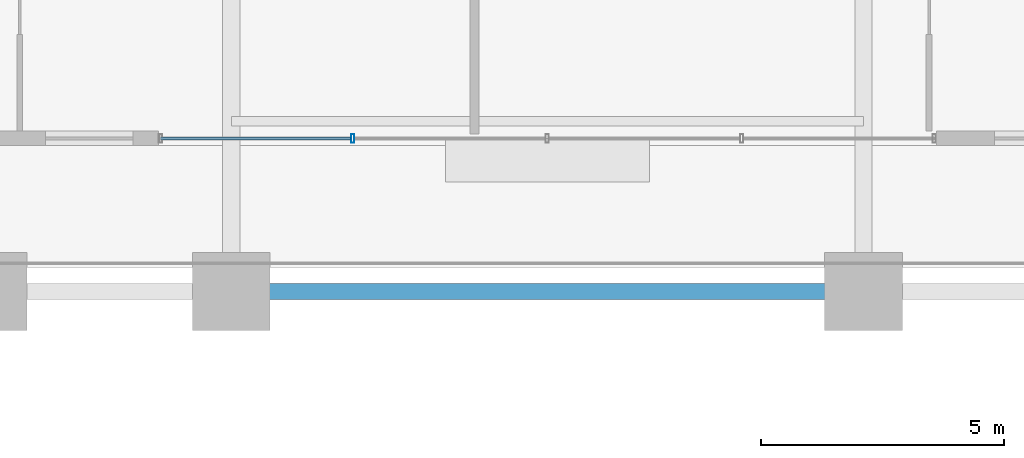
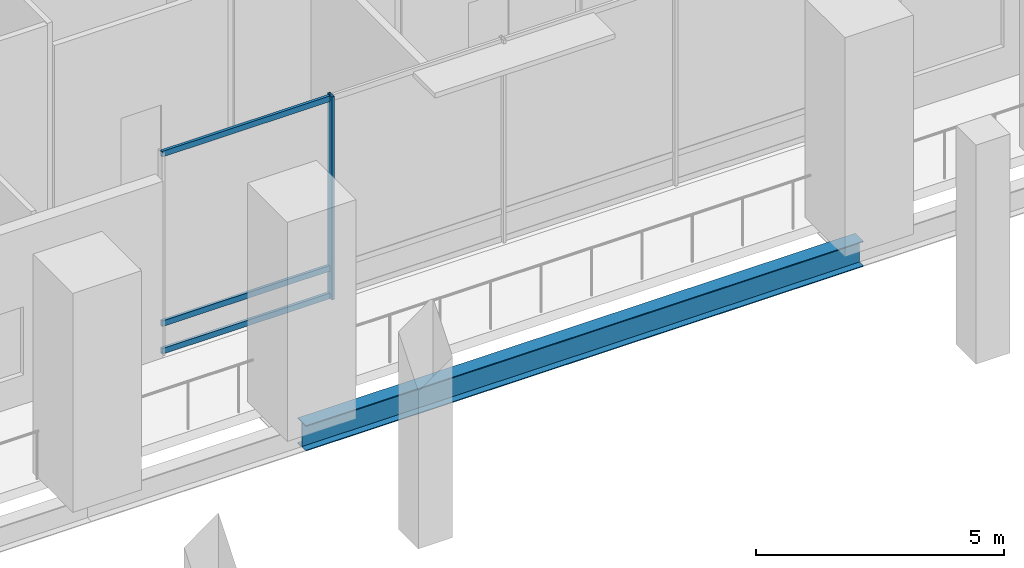
# One storey, part 4 of 25: 4 members, 1 beam, 1 element without a shape of its own.
"""IFC4 building model written with IfcOpenShell, lengths in metres."""

from ifc_helpers import new_model, si_unit, direction, frame, origin, origin_2d, place, context, subcontext, project, spatial, hollow_rectangle, i_section, extrude, material, layer, layer_set, material_profile, profile_set, type_object, element, aggregate, save


model = new_model("IFC4")

# Units and contexts
model_context = context("Model", 3, precision=1e-05, world=origin(), true_north=direction((0.0, 1.0)))
body_context = subcontext(model_context, "Body", "Model", "MODEL_VIEW")
ifc_project = project(units=[si_unit("LENGTHUNIT", "METRE"), si_unit("AREAUNIT", "SQUARE_METRE"), si_unit("VOLUMEUNIT", "CUBIC_METRE"), si_unit("PLANEANGLEUNIT", "RADIAN"), si_unit("MASSUNIT", "GRAM", prefix="KILO")], contexts=[model_context])

# Site, building, storey
site_placement = place(None, origin())
site = spatial("IfcSite", under=ifc_project, at=site_placement, CompositionType="ELEMENT")
building_placement = place(site_placement, origin())
building = spatial("IfcBuilding", under=site, at=building_placement, Name="Barlavira Tower and Art Museum", CompositionType="ELEMENT")
storey_placement = place(building_placement, frame((0.0, 0.0, 22.199951171875)))
storey = spatial("IfcBuildingStorey", under=building, at=storey_placement, Name="L04", CompositionType="ELEMENT", Elevation=22.199951171875)

# Curtain wall, members
ifc_material_1 = material(Name="Low-iron coastal laminated glass", Category="glass")
ifc_layer = layer(ifc_material_1, 0.179931640625, Name="Low-iron coastal laminated glass")
ifc_layer_set = layer_set([ifc_layer], Name="Low-iron coastal laminated glass")
curtain_wall_type = type_object("IfcCurtainWallType", Name="Pale-Metal Unitised Curtain Wall Zone 1", PredefinedType="NOTDEFINED", material=ifc_layer_set)
curtain_wall_placement = place(storey_placement, origin())
curtain_wall = element("IfcCurtainWall", 1, at=curtain_wall_placement, inside=storey, type_object=curtain_wall_type, Name="L04 Curtain Wall CW1-L04-S", PredefinedType="NOTDEFINED")
ifc_material_2 = material(Name="Pale anodised aluminium", Category="aluminium")
ifc_material_profile_1 = material_profile(ifc_material_2, hollow_rectangle(XDim=0.06494140625, YDim=0.179931640625, WallThickness=0.00390625, at=origin_2d()), Name="ALU-MULL 65x180x4")
ifc_profile_set_1 = profile_set([ifc_material_profile_1], Name="Pale anodised aluminium")
member_type_1 = type_object("IfcMemberType", Name="Curtain Wall Pale-Metal Mullion 65x180", PredefinedType="MULLION", material=ifc_profile_set_1)
member_1_placement = place(storey_placement, frame((-4.0, -16.85009765625, 0.0), z_axis=(0.0, 0.0, 1.0), x_axis=(1.0, 0.0, 0.0)))
member_1 = element("IfcMember", 2, at=member_1_placement, type_object=member_type_1, Name="CW1-L04-S Mullion 1", PredefinedType="MULLION", context=body_context, shape_type="SweptSolid", body=[
    extrude(hollow_rectangle(XDim=0.06494140625, YDim=0.179931640625, WallThickness=0.00390625, at=origin_2d()), origin(), (0.0, 0.0, 1.0), 5.0),
])
ifc_material_profile_2 = material_profile(ifc_material_2, hollow_rectangle(XDim=0.06494140625, YDim=0.139892578125, WallThickness=0.00390625, at=origin_2d()), Name="ALU-TRAN 65x140x4")
ifc_profile_set_2 = profile_set([ifc_material_profile_2], Name="Pale anodised aluminium")
member_type_2 = type_object("IfcMemberType", Name="Curtain Wall Pale-Metal Transom 65x140", PredefinedType="USERDEFINED", material=ifc_profile_set_2)
member_2_placement = place(storey_placement, frame((-7.955078125, -16.85009765625, 0.070068359375), z_axis=(1.0, 0.0, 0.0), x_axis=(0.0, 1.0, 0.0)))
member_2 = element("IfcMember", 3, at=member_2_placement, type_object=member_type_2, Name="CW1-L04-S Transom 0.1", ObjectType="TRANSOM", PredefinedType="USERDEFINED", context=body_context, shape_type="SweptSolid", body=[
    extrude(hollow_rectangle(XDim=0.06494140625, YDim=0.139892578125, WallThickness=0.00390625, at=origin_2d()), origin(), (0.0, 0.0, 1.0), 3.91015625),
])
member_3_placement = place(storey_placement, frame((-7.955078125, -16.85009765625, 0.75), z_axis=(1.0, 0.0, 0.0), x_axis=(0.0, 1.0, 0.0)))
member_3 = element("IfcMember", 4, at=member_3_placement, type_object=member_type_2, Name="CW1-L04-S Transom 0.2", ObjectType="TRANSOM", PredefinedType="USERDEFINED", context=body_context, shape_type="SweptSolid", body=[
    extrude(hollow_rectangle(XDim=0.06494140625, YDim=0.139892578125, WallThickness=0.00390625, at=origin_2d()), origin(), (0.0, 0.0, 1.0), 3.91015625),
])
member_4_placement = place(storey_placement, frame((-7.955078125, -16.85009765625, 4.929931640625), z_axis=(1.0, 0.0, 0.0), x_axis=(0.0, 1.0, 0.0)))
member_4 = element("IfcMember", 5, at=member_4_placement, type_object=member_type_2, Name="CW1-L04-S Transom 0.3", ObjectType="TRANSOM", PredefinedType="USERDEFINED", context=body_context, shape_type="SweptSolid", body=[
    extrude(hollow_rectangle(XDim=0.06494140625, YDim=0.139892578125, WallThickness=0.00390625, at=origin_2d()), origin(), (0.0, 0.0, 1.0), 3.91015625),
])
aggregate(curtain_wall, [member_1, member_2, member_3, member_4])

# Beam
ifc_material_3 = material(Name="Steel S355", Category="steel")
ifc_material_profile_3 = material_profile(ifc_material_3, i_section(OverallWidth=0.327880859375, OverallDepth=0.62890625, WebThickness=0.013916015625, FlangeThickness=0.021484375, at=origin_2d()), Name="W610x174.0")
ifc_profile_set_3 = profile_set([ifc_material_profile_3], Name="Steel S355")
beam_type = type_object("IfcBeamType", Name="Perimeter Spandrel Edge Beam W610x174 Steel S355", PredefinedType="SPANDREL", material=ifc_profile_set_3)
beam_placement = place(storey_placement, frame((-6.5, -20.0, -0.594482421875), z_axis=(1.0, 0.0, 0.0), x_axis=(0.0, 1.0, 0.0)))
element("IfcBeam", 6, at=beam_placement, inside=storey, type_object=beam_type, Name="L04 Podium Spandrel PS3", PredefinedType="SPANDREL", context=body_context, shape_type="SweptSolid", body=[
    extrude(i_section(OverallWidth=0.327880859375, OverallDepth=0.62890625, WebThickness=0.013916015625, FlangeThickness=0.021484375, at=origin_2d()), origin(), (0.0, 0.0, 1.0), 13.0),
])

save(model, "model.ifc")
